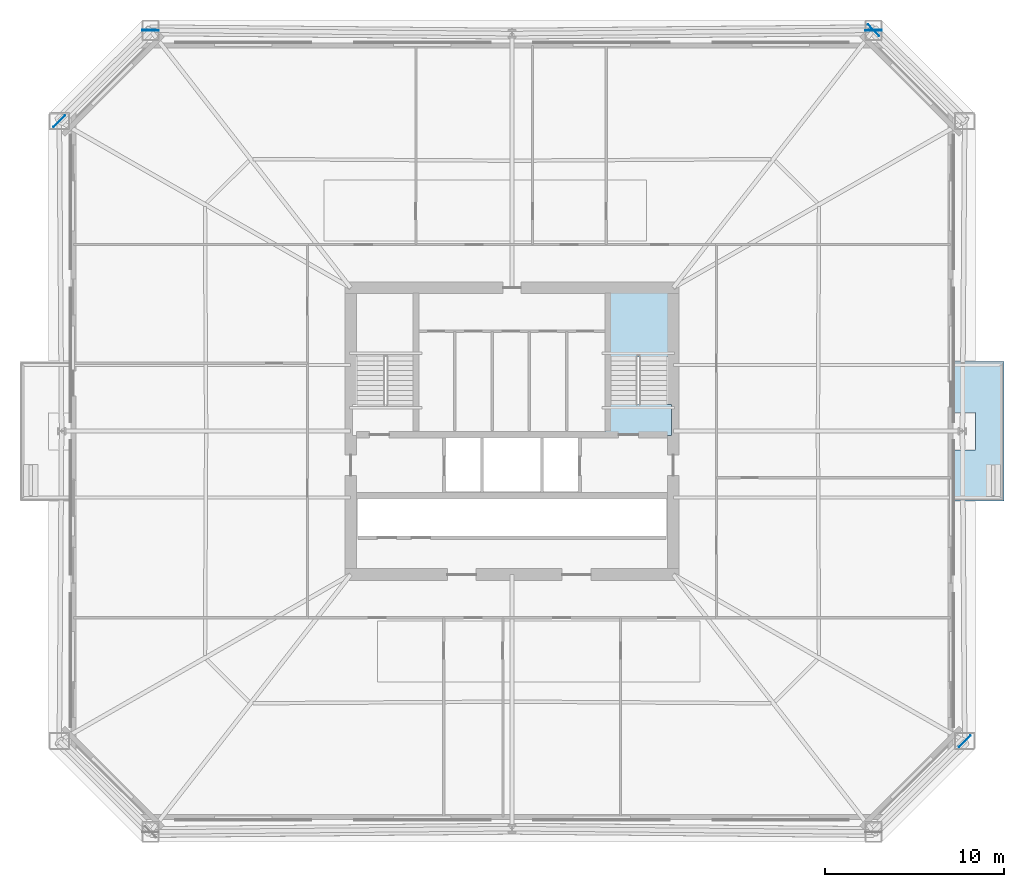
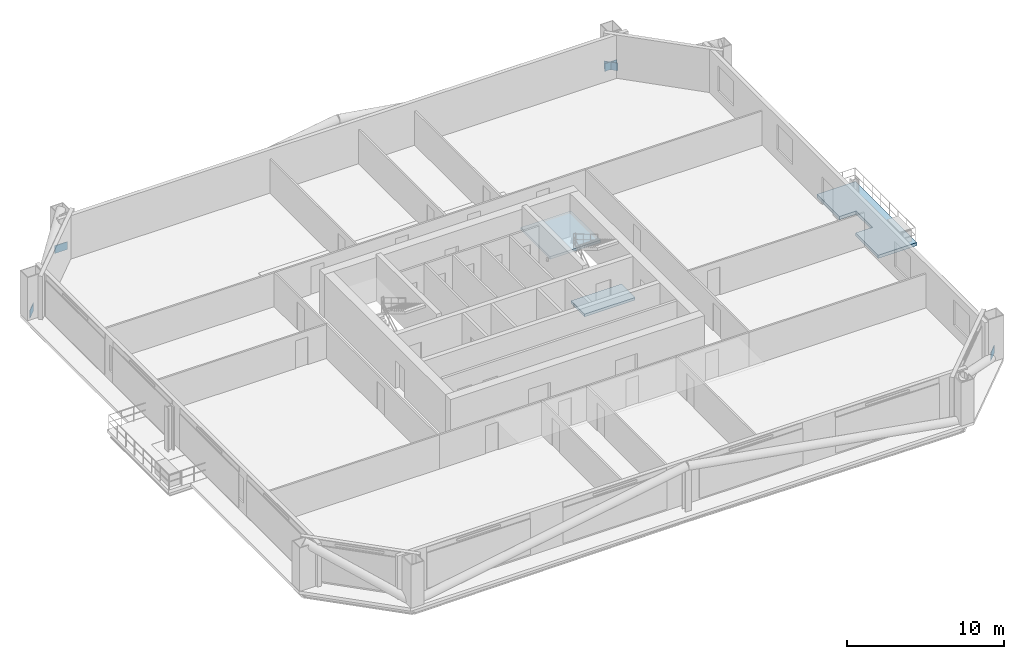
# One storey, part 4 of 10: 5 plates, 3 slabs, 1 element without a shape of its own.
"""IFC4 building model written with IfcOpenShell, lengths in metres."""

from ifc_helpers import new_model, si_unit, direction, frame, origin, origin_2d, place, context, subcontext, project, spatial, polyline, rectangle, outline, extrude, material, layer, layer_set, type_object, element, aggregate, save


model = new_model("IFC4")

# Units and contexts
model_context = context("Model", 3, precision=1e-05, world=origin(), true_north=direction((0.0, 1.0)))
body_context = subcontext(model_context, "Body", "Model", "MODEL_VIEW")
ifc_project = project(units=[si_unit("LENGTHUNIT", "METRE"), si_unit("AREAUNIT", "SQUARE_METRE"), si_unit("VOLUMEUNIT", "CUBIC_METRE"), si_unit("PLANEANGLEUNIT", "RADIAN"), si_unit("MASSUNIT", "GRAM", prefix="KILO")], contexts=[model_context])

# Site, building, storey
site_placement = place(None, origin())
site = spatial("IfcSite", under=ifc_project, at=site_placement, CompositionType="ELEMENT")
building_placement = place(site_placement, origin())
building = spatial("IfcBuilding", under=site, at=building_placement, Name="Caelvoria Tower", CompositionType="ELEMENT")
storey_placement = place(building_placement, frame((0.0, 0.0, 60.39990234375)))
storey = spatial("IfcBuildingStorey", under=building, at=storey_placement, Name="L15", CompositionType="ELEMENT", Elevation=60.39990234375)

# Plates
ifc_material_1 = material(Name="Structural Steel ASTM A572 Gr.50", Category="steel")
ifc_layer_1 = layer(ifc_material_1, 0.0400390625, Name="Structural Steel ASTM A572 Gr.50")
ifc_layer_set_1 = layer_set([ifc_layer_1], Name="Megaframe Node Gusset Plate 900x600x40 - Structural Steel ASTM A572 Gr.50")
plate_type = type_object("IfcPlateType", Name="Megaframe Node Gusset Plate 900x600x40", PredefinedType="USERDEFINED", material=ifc_layer_set_1)
for number, where, z_axis, x_axis, name in (
    (1, (71.255859375, 14.706787109375, 0.02001953125), (0.0, 0.0, 1.0), (-0.70821909349, -0.705992716404, 0.0), "Chamfer Mega Brace Gusset L15 SE"),
    (2, (66.167724609375, 54.365234375, 0.02001953125), (0.0, 0.0, 1.0), (0.70821909349, -0.705992716404, 0.0), "Chamfer Mega Brace Gusset L15 NE"),
    (3, (20.744140625, 49.293212890625, 0.02001953125), (0.0, 0.0, 1.0), (0.70821909349, 0.705992716404, 0.0), "Chamfer Mega Brace Gusset L15 NW"),
    (4, (66.167724609375, 54.365234375, 0.050048828125), (0.0, 0.0, 1.0), (-0.999957796016, -0.009187283934, 0.0), "Megaframe Node Gusset Plate ND-04"),
    (5, (25.832275390625, 54.365234375, 0.050048828125), (0.0, 0.0, 1.0), (0.999957796016, -0.009187283934, 0.0), "Megaframe Node Gusset Plate ND-04"),
):
    element("IfcPlate", number, at=place(storey_placement, frame(where, z_axis=z_axis, x_axis=x_axis)), inside=storey, type_object=plate_type, Name=name, ObjectType="GUSSET_PLATE", PredefinedType="USERDEFINED", context=body_context, shape_type="SweptSolid", body=[
        extrude(rectangle(XDim=0.89990234375, YDim=0.0400390625, at=origin_2d()), origin(), (0.0, 0.0, 1.0), 0.60009765625),
    ])

# Stair, slabs
ifc_material_2 = material(Name="Concrete C40/50", Category="concrete")
stair_type = type_object("IfcStairType", Name="Core Smokeproof Dogleg Stair Concrete C40/50", PredefinedType="HALF_TURN_STAIR", material=ifc_material_2)
stair_placement = place(storey_placement, origin())
stair = element("IfcStair", 6, at=stair_placement, inside=storey, type_object=stair_type, Name="ST-02 Smokeproof Exit Stair L15", PredefinedType="HALF_TURN_STAIR")
ifc_layer_2 = layer(ifc_material_2, 0.199951171875, Name="Concrete C40/50")
ifc_layer_set_2 = layer_set([ifc_layer_2], Name="Stair Half and Floor Landing Slab 200 Concrete C40/50 - Concrete C40/50")
slab_type_1 = type_object("IfcSlabType", Name="Stair Half and Floor Landing Slab 200 Concrete C40/50", PredefinedType="LANDING", material=ifc_layer_set_2)
slab_1_placement = place(storey_placement, frame((0.0, 0.0, -0.199951171875)))
slab_1 = element("IfcSlab", 7, at=slab_1_placement, type_object=slab_type_1, Name="ST-02 landing 1", PredefinedType="LANDING", context=body_context, shape_type="SweptSolid", body=[
    extrude(outline(polyline([(51.199951171875, 31.77001953125), (54.89990234375, 31.77001953125), (54.89990234375, 33.5), (51.199951171875, 33.5), (51.199951171875, 31.77001953125)])), origin(), (0.0, 0.0, 1.0), 0.199951171875),
])
slab_2_placement = place(storey_placement, frame((0.0, 0.0, 1.60009765625)))
slab_2 = element("IfcSlab", 8, at=slab_2_placement, type_object=slab_type_1, Name="ST-02 landing 2", PredefinedType="LANDING", context=body_context, shape_type="SweptSolid", body=[
    extrude(outline(polyline([(51.199951171875, 36.14990234375), (54.89990234375, 36.14990234375), (54.89990234375, 39.89990234375), (51.199951171875, 39.89990234375), (51.199951171875, 36.14990234375)])), origin(), (0.0, 0.0, 1.0), 0.199951171875),
])
aggregate(stair, [slab_1, slab_2])

# Slab
ifc_material_3 = material(Name="Concrete C45/55", Category="concrete")
ifc_layer_3 = layer(ifc_material_3, 0.25, Name="Concrete C45/55")
ifc_layer_set_3 = layer_set([ifc_layer_3], Name="Tree Balcony Structural Planter Slab 250 - Concrete C45/55")
slab_type_2 = type_object("IfcSlabType", Name="Tree Balcony Structural Planter Slab 250", PredefinedType="FLOOR", material=ifc_layer_set_3)
slab_3_placement = place(storey_placement, frame((0.0, 0.0, -0.25)))
element("IfcSlab", 9, at=slab_3_placement, inside=storey, type_object=slab_type_2, Name="Tree Balcony Slab TB-L15-E", PredefinedType="FLOOR", context=body_context, shape_type="SweptSolid", body=[
    extrude(outline(polyline([(71.85009765625, 35.89990234375), (70.610107421875, 35.89990234375), (70.610107421875, 33.0400390625), (71.85009765625, 33.0400390625), (71.85009765625, 30.9599609375), (70.610107421875, 30.9599609375), (70.610107421875, 28.10009765625), (71.85009765625, 28.10009765625), (73.449951171875, 28.10009765625), (73.449951171875, 35.89990234375), (71.85009765625, 35.89990234375)])), origin(), (0.0, 0.0, 1.0), 0.25),
])

save(model, "model.ifc")
